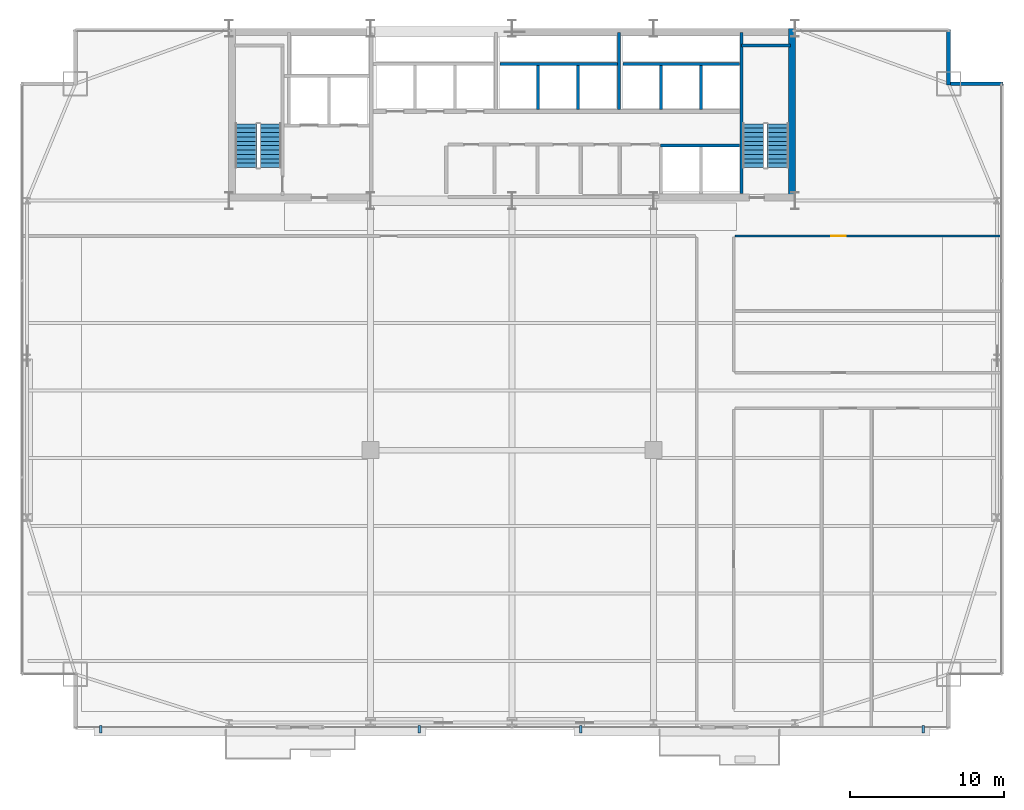
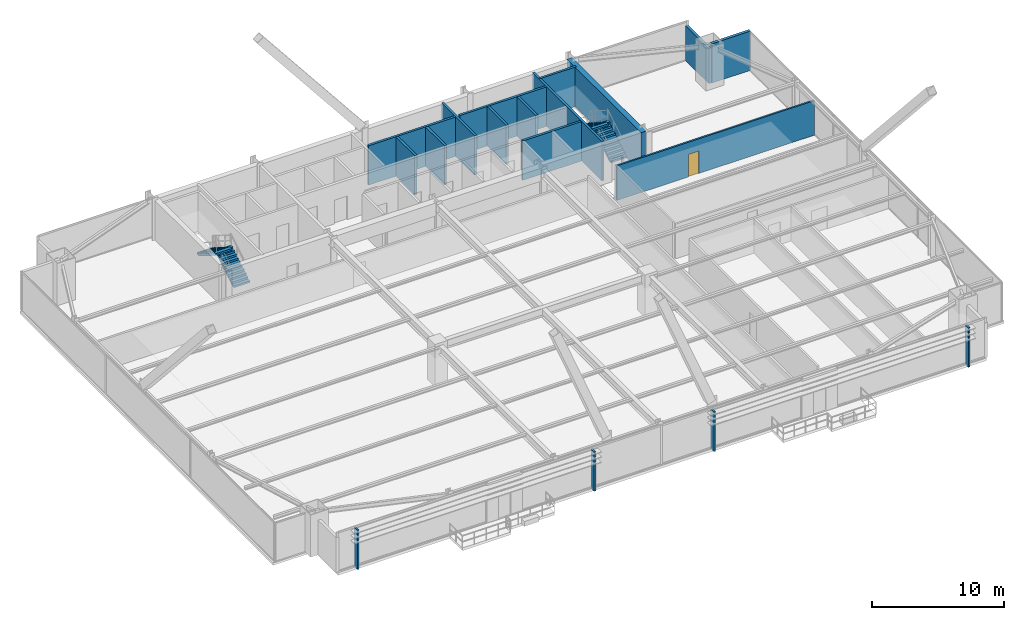
# One storey, part 33 of 35: 14 walls, 4 discrete accessories, 4 stair flights, 1 door, 1 opening, 2 elements without a shape of their own.
"""IFC4 building model written with IfcOpenShell, lengths in metres."""

from ifc_helpers import new_model, si_unit, direction, frame, frame_2d, origin, origin_2d, place, context, subcontext, project, spatial, polyline, rectangle, outline, extrude, source, transform, mapped, material, layer, layer_set, type_object, type_shapes, element, fill, aggregate, save


model = new_model("IFC4")

# Units and contexts
model_context = context("Model", 3, precision=1e-05, world=origin(), true_north=direction((0.0, 1.0)))
body_context = subcontext(model_context, "Body", "Model", "MODEL_VIEW")
ifc_project = project(units=[si_unit("LENGTHUNIT", "METRE"), si_unit("AREAUNIT", "SQUARE_METRE"), si_unit("VOLUMEUNIT", "CUBIC_METRE"), si_unit("PLANEANGLEUNIT", "RADIAN"), si_unit("MASSUNIT", "GRAM", prefix="KILO")], contexts=[model_context])

# Site, building, storey
site_placement = place(None, origin())
site = spatial("IfcSite", under=ifc_project, at=site_placement, CompositionType="ELEMENT")
building_placement = place(site_placement, origin())
building = spatial("IfcBuilding", under=site, at=building_placement, Name="Varnel Quay Broadcast Tower", CompositionType="ELEMENT")
storey_placement = place(building_placement, frame((0.0, 0.0, 66.60009765625)))
storey = spatial("IfcBuildingStorey", under=building, at=storey_placement, Name="L15", CompositionType="ELEMENT", Elevation=66.60009765625)

# Walls
ifc_material_1 = material(Name="Concrete CSA A23.3 C50/60", Category="concrete")
ifc_layer_1 = layer(ifc_material_1, 0.199951171875, Name="Concrete CSA A23.3 C50/60")
ifc_layer_set_1 = layer_set([ifc_layer_1], Name="Concrete CSA A23.3 C50/60")
wall_type_1 = type_object("IfcWallType", Name="Wall_CoreShaftShear200", PredefinedType="SHEAR", material=ifc_layer_set_1)
wall_1_placement = place(storey_placement, frame((48.919921875, 36.050048828125, 0.0), z_axis=(0.0, 0.0, 1.0), x_axis=(0.0, 1.0, 0.0)))
element("IfcWall", 1, at=wall_1_placement, inside=storey, type_object=wall_type_1, Name="L15 Stair 2 West Structural Wall", PredefinedType="SHEAR", context=body_context, shape_type="SweptSolid", body=[
    extrude(rectangle(XDim=10.5, YDim=0.199951171875, at=frame_2d((5.25, 0.0))), origin(), (0.0, 0.0, 1.0), 3.64990234375),
])
wall_2_placement = place(storey_placement, frame((48.919921875, 45.679931640625, 0.0), z_axis=(0.0, 0.0, 1.0), x_axis=(1.0, 0.0, 0.0)))
element("IfcWall", 2, at=wall_2_placement, inside=storey, type_object=wall_type_1, Name="L15 Stair 2 North Structural Wall", PredefinedType="SHEAR", context=body_context, shape_type="SweptSolid", body=[
    extrude(rectangle(XDim=3.18017578125, YDim=0.199951171875, at=frame_2d((1.590087890625, 0.0))), origin(), (0.0, 0.0, 1.0), 3.64990234375),
])
wall_3_placement = place(storey_placement, frame((33.219970703125, 44.5, 0.0), z_axis=(0.0, 0.0, 1.0), x_axis=(1.0, 0.0, 0.0)))
element("IfcWall", 3, at=wall_3_placement, inside=storey, type_object=wall_type_1, Name="L15 Mid-Rise Lift Shaft Rear Wall", PredefinedType="SHEAR", context=body_context, shape_type="SweptSolid", body=[
    extrude(rectangle(XDim=7.630126953125, YDim=0.199951171875, at=frame_2d((3.81494140625, 0.0))), origin(), (0.0, 0.0, 1.0), 3.64990234375),
])
for number, where, z_axis, x_axis, name in (
    (4, (35.699951171875, 41.530029296875, 0.0), (0.0, 0.0, 1.0), (0.0, 1.0, 0.0), "L15 Mid-Rise Lift Shaft Divider 2"),
    (5, (38.300048828125, 41.530029296875, 0.0), (0.0, 0.0, 1.0), (0.0, 1.0, 0.0), "L15 Mid-Rise Lift Shaft Divider 3"),
):
    element("IfcWall", number, at=place(storey_placement, frame(where, z_axis=z_axis, x_axis=x_axis)), inside=storey, type_object=wall_type_1, Name=name, PredefinedType="SHEAR", context=body_context, shape_type="SweptSolid", body=[
        extrude(rectangle(XDim=2.869873046875, YDim=0.199951171875, at=frame_2d((1.43505859375, 0.0))), origin(), (0.0, 0.0, 1.0), 3.64990234375),
    ])
wall_4_placement = place(storey_placement, frame((40.949951171875, 41.530029296875, 0.0), z_axis=(0.0, 0.0, 1.0), x_axis=(0.0, 1.0, 0.0)))
element("IfcWall", 6, at=wall_4_placement, inside=storey, type_object=wall_type_1, Name="L15 Mid-Rise Lift Shaft Divider 4", PredefinedType="SHEAR", context=body_context, shape_type="SweptSolid", body=[
    extrude(rectangle(XDim=5.02001953125, YDim=0.199951171875, at=frame_2d((2.510009765625, 0.0))), origin(), (0.0, 0.0, 1.0), 3.64990234375),
])
wall_5_placement = place(storey_placement, frame((41.219970703125, 44.5, 0.0), z_axis=(0.0, 0.0, 1.0), x_axis=(1.0, 0.0, 0.0)))
element("IfcWall", 7, at=wall_5_placement, inside=storey, type_object=wall_type_1, Name="L15 High-Rise Lift Shaft Rear Wall", PredefinedType="SHEAR", context=body_context, shape_type="SweptSolid", body=[
    extrude(rectangle(XDim=7.580078125, YDim=0.199951171875, at=frame_2d((3.7900390625, 0.0))), origin(), (0.0, 0.0, 1.0), 3.64990234375),
])
for number, where, z_axis, x_axis, name in (
    (8, (43.699951171875, 41.530029296875, 0.0), (0.0, 0.0, 1.0), (0.0, 1.0, 0.0), "L15 High-Rise Lift Shaft Divider 2"),
    (9, (46.300048828125, 41.530029296875, 0.0), (0.0, 0.0, 1.0), (0.0, 1.0, 0.0), "L15 High-Rise Lift Shaft Divider 3"),
):
    element("IfcWall", number, at=place(storey_placement, frame(where, z_axis=z_axis, x_axis=x_axis)), inside=storey, type_object=wall_type_1, Name=name, PredefinedType="SHEAR", context=body_context, shape_type="SweptSolid", body=[
        extrude(rectangle(XDim=2.869873046875, YDim=0.199951171875, at=frame_2d((1.43505859375, 0.0))), origin(), (0.0, 0.0, 1.0), 3.64990234375),
    ])
wall_6_placement = place(storey_placement, frame((43.64990234375, 39.199951171875, 0.0), z_axis=(0.0, 0.0, 1.0), x_axis=(1.0, 0.0, 0.0)))
element("IfcWall", 10, at=wall_6_placement, inside=storey, type_object=wall_type_1, Name="L15 Express Lift Shaft North Front Wall", PredefinedType="SHEAR", context=body_context, shape_type="SweptSolid", body=[
    extrude(rectangle(XDim=5.150146484375, YDim=0.199951171875, at=frame_2d((2.5751953125, 0.0))), origin(), (0.0, 0.0, 1.0), 3.64990234375),
])
ifc_material_2 = material(Name="Concrete CSA A23.3 C60/75", Category="concrete")
ifc_layer_2 = layer(ifc_material_2, 0.449951171875, Name="Concrete CSA A23.3 C60/75")
ifc_layer_set_2 = layer_set([ifc_layer_2], Name="Concrete CSA A23.3 C60/75")
wall_type_2 = type_object("IfcWallType", Name="Wall_CoreShearInt450", PredefinedType="SHEAR", material=ifc_layer_set_2)
wall_7_placement = place(storey_placement, frame((52.205078125, 35.570068359375, 0.0), z_axis=(0.0, 0.0, 1.0), x_axis=(0.0, 1.0, 0.0)))
element("IfcWall", 11, at=wall_7_placement, inside=storey, type_object=wall_type_2, Name="L15 East Core Shear Wall", PredefinedType="SHEAR", context=body_context, shape_type="SweptSolid", body=[
    extrude(rectangle(XDim=11.22998046875, YDim=0.449951171875, at=frame_2d((5.614990234375, 0.0))), origin(), (0.0, 0.0, 1.0), 3.64990234375),
])
ifc_material_3 = material(Name="Precast Architectural Concrete C40/50", Category="concrete")
ifc_layer_3 = layer(ifc_material_3, 0.25, Name="Precast Architectural Concrete C40/50")
ifc_layer_set_3 = layer_set([ifc_layer_3], Name="Precast Architectural Concrete C40/50")
wall_type_3 = type_object("IfcWallType", Name="Wall_ExtTerrace250", PredefinedType="SOLIDWALL", material=ifc_layer_set_3)
wall_8_placement = place(storey_placement, frame((62.530029296875, 43.199951171875, 0.0), z_axis=(0.0, 0.0, 1.0), x_axis=(1.0, 0.0, 0.0)))
element("IfcWall", 12, at=wall_8_placement, inside=storey, type_object=wall_type_3, Name="L15 Mega-Column Notch Cladding Wall NNE1", PredefinedType="SOLIDWALL", context=body_context, shape_type="SweptSolid", body=[
    extrude(rectangle(XDim=3.389892578125, YDim=0.25, at=frame_2d((1.69482421875, 0.0))), origin(), (0.0, 0.0, 1.0), 3.6298828125),
])
wall_9_placement = place(storey_placement, frame((62.39990234375, 43.1201171875, 0.0), z_axis=(0.0, 0.0, 1.0), x_axis=(0.0, 1.0, 0.0)))
element("IfcWall", 13, at=wall_9_placement, inside=storey, type_object=wall_type_3, Name="L15 Mega-Column Notch Cladding Wall NNE2", PredefinedType="SOLIDWALL", context=body_context, shape_type="SweptSolid", body=[
    extrude(rectangle(XDim=3.599853515625, YDim=0.25, at=frame_2d((1.7998046875, 0.0))), origin(), (0.0, 0.0, 1.0), 3.2080078125),
])

# Wall, opening, door
ifc_material_4 = material(Name="Steel-Stud Fire-Rated Acoustic Gypsum Partition Assembly", Category="steel")
ifc_layer_4 = layer(ifc_material_4, 0.14990234375, Name="Steel-Stud Fire-Rated Acoustic Gypsum Partition Assembly")
ifc_layer_set_4 = layer_set([ifc_layer_4], Name="Steel-Stud Fire-Rated Acoustic Gypsum Partition Assembly")
wall_type_4 = type_object("IfcWallType", Name="Wall_Partition150", PredefinedType="PARTITIONING", material=ifc_layer_set_4)
wall_10_placement = place(storey_placement, frame((48.52001953125, 33.300048828125, 0.0), z_axis=(0.0, 0.0, 1.0), x_axis=(1.0, 0.0, 0.0)))
wall_10 = element("IfcWall", 14, at=wall_10_placement, inside=storey, type_object=wall_type_4, Name="L15 Bureau Office 6 Partition 17", PredefinedType="PARTITIONING", context=body_context, shape_type="SweptSolid", body=[
    extrude(rectangle(XDim=17.300048828125, YDim=0.14990234375, at=frame_2d((8.64990234375, 0.0))), origin(), (0.0, 0.0, 1.0), 3.2080078125),
])
opening_placement = place(wall_10_placement, frame((6.2548828125, 0.0, 0.0)))
opening = element("IfcOpeningElement", 15, at=opening_placement, cuts=wall_10, Name="Opening D-L15-11", PredefinedType="OPENING", context=body_context, shape_type="SweptSolid", body=[
    extrude(rectangle(XDim=0.919921875, YDim=2.080078125, at=frame_2d((0.4599609375, 1.0400390625))), frame((0.0, 0.0849609375, 0.0), z_axis=(0.0, -1.0, 0.0), x_axis=(1.0, 0.0, 0.0)), (0.0, 0.0, 1.0), 0.169921875),
])
ifc_material_5 = material(Name="Solid-Core Fire-Rated Acoustic Oak Veneer Door", Category="wood")
door_type = type_object("IfcDoorType", Name="Door_Office920", OperationType="NOTDEFINED", PredefinedType="DOOR", material=ifc_material_5)
shared_shape_1 = source(origin(), body_context, "Body", "SweptSolid", [
    extrude(rectangle(XDim=0.919921875, YDim=2.080078125, at=frame_2d((0.4599609375, 1.0400390625))), frame((0.0, 0.02490234375, 0.0), z_axis=(0.0, -1.0, 0.0), x_axis=(1.0, 0.0, 0.0)), (0.0, 0.0, 1.0), 0.050048828125),
])
type_shapes(door_type, [shared_shape_1])
door_placement = place(opening_placement, frame((0.919921875, 0.0, 0.0), z_axis=(0.0, 0.0, 1.0), x_axis=(-1.0, 0.0, 0.0)))
door = element("IfcDoor", 16, at=door_placement, inside=storey, type_object=door_type, Name="L15 Bureau Office 6 Door D-L15-11", OperationType="SINGLE_SWING_RIGHT", OverallHeight=2.080078125, OverallWidth=0.919921875, PredefinedType="DOOR", context=body_context, shape_type="MappedRepresentation", body=[
    mapped(shared_shape_1, transform((0.0, 0.0, 0.0), x_axis=(1.0, 0.0, 0.0), y_axis=(0.0, 1.0, 0.0), z_axis=(0.0, 0.0, 1.0), scale=1.0)),
])
fill(opening, door)

# Stair, stair flights
ifc_material_6 = material(Name="Precast Structural Concrete C40/50", Category="concrete")
stair_type_1 = type_object("IfcStairType", Name="Stair_ST-01", PredefinedType="HALF_TURN_STAIR", material=ifc_material_6)
stair_1_placement = place(storey_placement, origin())
stair_1 = element("IfcStair", 17, at=stair_1_placement, inside=storey, type_object=stair_type_1, Name="L15 West Core Exit Stair 1", PredefinedType="HALF_TURN_STAIR")
stair_flight_type_1 = type_object("IfcStairFlightType", Name="Flight_ST-01", PredefinedType="STRAIGHT", material=ifc_material_6)
stair_flight_1_placement = place(storey_placement, frame((18.300048828125, 37.75, 0.0), z_axis=(0.0, 0.0, 1.0), x_axis=(0.0, 1.0, 0.0)))
stair_flight_1 = element("IfcStairFlight", 18, at=stair_flight_1_placement, type_object=stair_flight_type_1, Name="ST-01 flight 1", NumberOfRisers=11, NumberOfTreads=10, PredefinedType="STRAIGHT", RiserHeight=0.177272727, TreadLength=0.285, context=body_context, shape_type="SweptSolid", body=[
    extrude(outline(polyline([(0.0, 0.0), (0.0, 0.17724609375), (0.284912109375, 0.17724609375), (0.284912109375, 0.3544921875), (0.570068359375, 0.3544921875), (0.570068359375, 0.53173828125), (0.85498046875, 0.53173828125), (0.85498046875, 0.708984375), (1.139892578125, 0.708984375), (1.139892578125, 0.886474609375), (1.425048828125, 0.886474609375), (1.425048828125, 1.063720703125), (1.7099609375, 1.063720703125), (1.7099609375, 1.240966796875), (1.9951171875, 1.240966796875), (1.9951171875, 1.418212890625), (2.280029296875, 1.418212890625), (2.280029296875, 1.595458984375), (2.56494140625, 1.595458984375), (2.56494140625, 1.772705078125), (2.85009765625, 1.772705078125), (2.85009765625, 1.949951171875), (2.85009765625, 1.59619140625), (0.283935546875, 0.0), (0.0, 0.0)])), frame((0.0, 0.699951171875, 0.0), z_axis=(0.0, -1.0, 0.0), x_axis=(1.0, 0.0, 0.0)), (0.0, 0.0, 1.0), 1.39990234375),
])
stair_flight_2_placement = place(storey_placement, frame((16.699951171875, 40.60009765625, 1.949951171875), z_axis=(0.0, 0.0, 1.0), x_axis=(0.0, -1.0, 0.0)))
stair_flight_2 = element("IfcStairFlight", 19, at=stair_flight_2_placement, type_object=stair_flight_type_1, Name="ST-01 flight 2", NumberOfRisers=11, NumberOfTreads=10, PredefinedType="STRAIGHT", RiserHeight=0.177272727, TreadLength=0.285, context=body_context, shape_type="SweptSolid", body=[
    extrude(outline(polyline([(0.0, 0.0), (0.0, 0.17724609375), (0.284912109375, 0.17724609375), (0.284912109375, 0.3544921875), (0.570068359375, 0.3544921875), (0.570068359375, 0.53173828125), (0.85498046875, 0.53173828125), (0.85498046875, 0.708984375), (1.139892578125, 0.708984375), (1.139892578125, 0.886474609375), (1.425048828125, 0.886474609375), (1.425048828125, 1.063720703125), (1.7099609375, 1.063720703125), (1.7099609375, 1.240966796875), (1.9951171875, 1.240966796875), (1.9951171875, 1.418212890625), (2.280029296875, 1.418212890625), (2.280029296875, 1.595458984375), (2.56494140625, 1.595458984375), (2.56494140625, 1.772705078125), (2.85009765625, 1.772705078125), (2.85009765625, 1.949951171875), (2.85009765625, 1.59619140625), (0.283935546875, 0.0), (0.0, 0.0)])), frame((0.0, 0.699951171875, 0.0), z_axis=(0.0, -1.0, 0.0), x_axis=(1.0, 0.0, 0.0)), (0.0, 0.0, 1.0), 1.39990234375),
])
aggregate(stair_1, [stair_flight_1, stair_flight_2])

stair_type_2 = type_object("IfcStairType", Name="Stair_ST-02", PredefinedType="HALF_TURN_STAIR", material=ifc_material_6)
stair_2_placement = place(storey_placement, origin())
stair_2 = element("IfcStair", 20, at=stair_2_placement, inside=storey, type_object=stair_type_2, Name="L15 East Core Exit Stair 2", PredefinedType="HALF_TURN_STAIR")
stair_flight_type_2 = type_object("IfcStairFlightType", Name="Flight_ST-02", PredefinedType="STRAIGHT", material=ifc_material_6)
stair_flight_3_placement = place(storey_placement, frame((51.300048828125, 37.75, 0.0), z_axis=(0.0, 0.0, 1.0), x_axis=(0.0, 1.0, 0.0)))
stair_flight_3 = element("IfcStairFlight", 21, at=stair_flight_3_placement, type_object=stair_flight_type_2, Name="ST-02 flight 1", NumberOfRisers=11, NumberOfTreads=10, PredefinedType="STRAIGHT", RiserHeight=0.177272727, TreadLength=0.285, context=body_context, shape_type="SweptSolid", body=[
    extrude(outline(polyline([(0.0, 0.0), (0.0, 0.17724609375), (0.284912109375, 0.17724609375), (0.284912109375, 0.3544921875), (0.570068359375, 0.3544921875), (0.570068359375, 0.53173828125), (0.85498046875, 0.53173828125), (0.85498046875, 0.708984375), (1.139892578125, 0.708984375), (1.139892578125, 0.886474609375), (1.425048828125, 0.886474609375), (1.425048828125, 1.063720703125), (1.7099609375, 1.063720703125), (1.7099609375, 1.240966796875), (1.9951171875, 1.240966796875), (1.9951171875, 1.418212890625), (2.280029296875, 1.418212890625), (2.280029296875, 1.595458984375), (2.56494140625, 1.595458984375), (2.56494140625, 1.772705078125), (2.85009765625, 1.772705078125), (2.85009765625, 1.949951171875), (2.85009765625, 1.59619140625), (0.283935546875, 0.0), (0.0, 0.0)])), frame((0.0, 0.699951171875, 0.0), z_axis=(0.0, -1.0, 0.0), x_axis=(1.0, 0.0, 0.0)), (0.0, 0.0, 1.0), 1.39990234375),
])
stair_flight_4_placement = place(storey_placement, frame((49.699951171875, 40.60009765625, 1.949951171875), z_axis=(0.0, 0.0, 1.0), x_axis=(0.0, -1.0, 0.0)))
stair_flight_4 = element("IfcStairFlight", 22, at=stair_flight_4_placement, type_object=stair_flight_type_2, Name="ST-02 flight 2", NumberOfRisers=11, NumberOfTreads=10, PredefinedType="STRAIGHT", RiserHeight=0.177272727, TreadLength=0.285, context=body_context, shape_type="SweptSolid", body=[
    extrude(outline(polyline([(0.0, 0.0), (0.0, 0.17724609375), (0.284912109375, 0.17724609375), (0.284912109375, 0.3544921875), (0.570068359375, 0.3544921875), (0.570068359375, 0.53173828125), (0.85498046875, 0.53173828125), (0.85498046875, 0.708984375), (1.139892578125, 0.708984375), (1.139892578125, 0.886474609375), (1.425048828125, 0.886474609375), (1.425048828125, 1.063720703125), (1.7099609375, 1.063720703125), (1.7099609375, 1.240966796875), (1.9951171875, 1.240966796875), (1.9951171875, 1.418212890625), (2.280029296875, 1.418212890625), (2.280029296875, 1.595458984375), (2.56494140625, 1.595458984375), (2.56494140625, 1.772705078125), (2.85009765625, 1.772705078125), (2.85009765625, 1.949951171875), (2.85009765625, 1.59619140625), (0.283935546875, 0.0), (0.0, 0.0)])), frame((0.0, 0.699951171875, 0.0), z_axis=(0.0, -1.0, 0.0), x_axis=(1.0, 0.0, 0.0)), (0.0, 0.0, 1.0), 1.39990234375),
])
aggregate(stair_2, [stair_flight_3, stair_flight_4])

# Discrete accessories
ifc_material_7 = material(Name="Anodised Bronze Aluminium 6063-T6", Category="aluminium")
ifc_layer_5 = layer(ifc_material_7, 0.47998046875, Name="Anodised Bronze Aluminium 6063-T6")
ifc_layer_set_5 = layer_set([ifc_layer_5], Name="Anodised Bronze Aluminium 6063-T6")
discrete_accessory_type = type_object("IfcDiscreteAccessoryType", Name="Acc_FacadeBracket", PredefinedType="BRACKET", material=ifc_layer_set_5)
shared_shape_2 = source(origin(), body_context, "Body", "SweptSolid", [
    extrude(rectangle(XDim=0.159912109375, YDim=0.47998046875, at=origin_2d()), origin(), (0.0, 0.0, 1.0), 3.64990234375),
])
type_shapes(discrete_accessory_type, [shared_shape_2])
for number, where, z_axis, x_axis, name in (
    (23, (7.25, 1.219970703125, -0.150146484375), (0.0, 0.0, 1.0), (1.0, 0.0, 0.0), "L15 Lobe 1 Louvre Support Bracket 1"),
    (24, (27.970947265625, 1.219970703125, -0.150146484375), (0.0, 0.0, 1.0), (1.0, 0.0, 0.0), "L15 Lobe 1 Louvre Support Bracket 2"),
    (25, (38.470947265625, 1.219970703125, -0.150146484375), (0.0, 0.0, 1.0), (1.0, 0.0, 0.0), "L15 Lobe 2 Louvre Support Bracket 1"),
    (26, (60.75, 1.219970703125, -0.150146484375), (0.0, 0.0, 1.0), (1.0, 0.0, 0.0), "L15 Lobe 2 Louvre Support Bracket 2"),
):
    element("IfcDiscreteAccessory", number, at=place(storey_placement, frame(where, z_axis=z_axis, x_axis=x_axis)), inside=storey, type_object=discrete_accessory_type, Name=name, PredefinedType="BRACKET", context=body_context, shape_type="MappedRepresentation", body=[
        mapped(shared_shape_2, transform((0.0, 0.0, 0.0), x_axis=(1.0, 0.0, 0.0), y_axis=(0.0, 1.0, 0.0), z_axis=(0.0, 0.0, 1.0), scale=1.0)),
    ])

save(model, "model.ifc")
